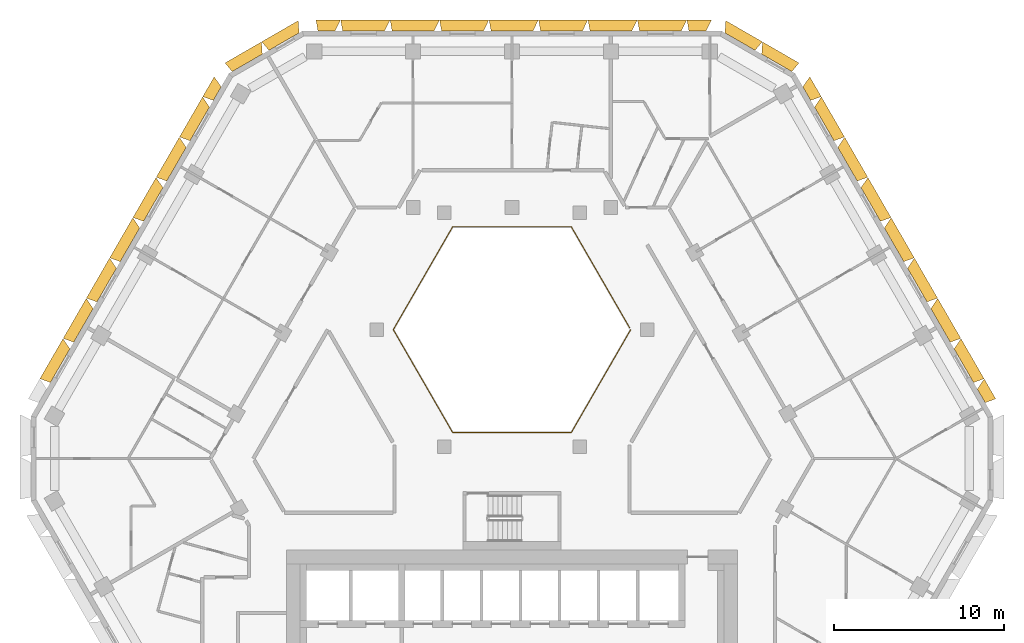
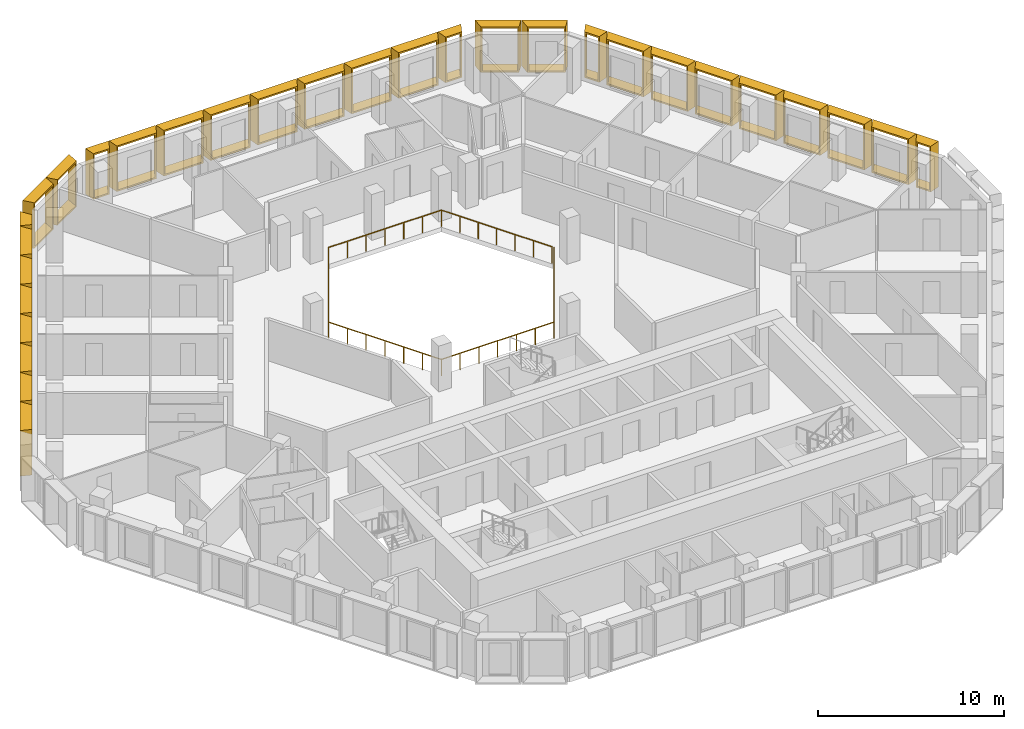
# One storey, part 15 of 15: 30 shading devices, 1 railing.
"""IFC4 building model written with IfcOpenShell, lengths in metres."""

import ifcopenshell
import ifcopenshell.guid

model = None  # the IFC model being written
_history = None  # IfcOwnerHistory: only IFC2X3 demands one
_inside = {}  # id of a spatial element -> (the spatial element, [elements in it])
_under = {}  # id of a project, library or spatial element -> (it, [spatial elements below it])
_declared = {}  # id of a project -> (the project, [libraries it declares])
_typed = {}  # id of a type object -> (the type object, [elements of that type])
_made_of = {}  # id of a material, layer set ... -> (it, [elements and type objects made of it])


def new_model(schema):
    """Start an empty IFC model of exactly this schema.

    Asked for "IFC4X3", IfcOpenShell would pick the latest addendum, in which some entities
    have other attributes; the version numbers below select the first issue.
    IFC2X3 requires an IfcOwnerHistory on every rooted entity: one is made here for all.
    """
    global model, _history
    if schema == "IFC4X3":
        model = ifcopenshell.file(schema_version=(4, 3, 0, 0))
    else:
        model = ifcopenshell.file(schema=schema)
    _inside.clear()
    _under.clear()
    _declared.clear()
    _typed.clear()
    _made_of.clear()
    _history = None
    if model.schema == "IFC2X3":
        org = make("IfcOrganization", Name="unknown")
        user = make(
            "IfcPersonAndOrganization",
            ThePerson=make("IfcPerson", FamilyName="unknown"),
            TheOrganization=org,
        )
        app = make(
            "IfcApplication",
            ApplicationDeveloper=org,
            Version="unknown",
            ApplicationFullName="unknown",
            ApplicationIdentifier="unknown",
        )
        _history = make(
            "IfcOwnerHistory",
            OwningUser=user,
            OwningApplication=app,
            ChangeAction="ADDED",
            CreationDate=0,
        )
    return model


def make(cls, **values):
    """One entity of the class cls with the attributes given. An attribute that is None is left unset."""
    return model.create_entity(
        cls, **{name: value for name, value in values.items() if value is not None}
    )


def entity(cls, *values):
    """Any entity or typed value of the class cls, its attributes in the order of the schema. None: left unset."""
    e = model.create_entity(cls)
    for i, value in enumerate(values):
        if value is not None:
            e[i] = value
    return e


def rooted(cls, **values):
    """An entity with a GlobalId (a new one), such as an element, a storey or a relation."""
    return make(cls, GlobalId=ifcopenshell.guid.new(), OwnerHistory=_history, **values)


def si_unit(unit_type, name, prefix=None):
    """IfcSIUnit, for example si_unit("LENGTHUNIT", "METRE", prefix="MILLI")."""
    return make("IfcSIUnit", UnitType=unit_type, Prefix=prefix, Name=name)


def assignment(units):
    """IfcUnitAssignment: the units of a project."""
    return None if units is None else make("IfcUnitAssignment", Units=units)


def point(xyz):
    """IfcCartesianPoint."""
    return None if xyz is None else make("IfcCartesianPoint", Coordinates=xyz)


def direction(xyz):
    """IfcDirection."""
    return None if xyz is None else make("IfcDirection", DirectionRatios=xyz)


def frame(location, z_axis=None, x_axis=None):
    """IfcAxis2Placement3D, a coordinate frame: its origin and axes. An axis left out is left unset."""
    return make(
        "IfcAxis2Placement3D",
        Location=point(location),
        Axis=direction(z_axis),
        RefDirection=direction(x_axis),
    )


def frame_2d(location, x_axis=None):
    """IfcAxis2Placement2D, a coordinate frame in the plane: its origin and x axis."""
    return make(
        "IfcAxis2Placement2D", Location=point(location), RefDirection=direction(x_axis)
    )


def origin():
    """The frame at (0, 0, 0) with its axes left unset."""
    return frame((0.0, 0.0, 0.0))


def origin_2d():
    """The frame at (0, 0) in the plane with its x axis left unset."""
    return frame_2d((0.0, 0.0))


def place(relative_to, where):
    """IfcLocalPlacement: puts the frame where relative to a parent placement (None: the world)."""
    return make(
        "IfcLocalPlacement", PlacementRelTo=relative_to, RelativePlacement=where
    )


def context(
    kind, dimensions, precision=None, world=None, true_north=None, identifier=None
):
    """IfcGeometricRepresentationContext, for example the 3D "Model" context."""
    return make(
        "IfcGeometricRepresentationContext",
        ContextIdentifier=identifier,
        ContextType=kind,
        CoordinateSpaceDimension=dimensions,
        Precision=precision,
        WorldCoordinateSystem=world,
        TrueNorth=true_north,
    )


def subcontext(parent, identifier, kind, view, scale=None):
    """IfcGeometricRepresentationSubContext, for example "Body" below "Model"."""
    return make(
        "IfcGeometricRepresentationSubContext",
        ContextIdentifier=identifier,
        ContextType=kind,
        ParentContext=parent,
        TargetScale=scale,
        TargetView=view,
    )


def project(units=None, contexts=None):
    """IfcProject with its units and contexts."""
    return rooted(
        "IfcProject",
        Name="project",
        RepresentationContexts=contexts,
        UnitsInContext=assignment(units),
    )


def spatial(cls, under=None, at=None, **own):
    """A site, building, storey or space (cls), placed at a placement, below another one or the project."""
    s = rooted(cls, ObjectPlacement=at, **own)
    if under is not None:
        _under.setdefault(under.id(), (under, []))[1].append(s)
    return s


def profile(cls, at=None, kind="AREA", **sizes):
    """A parametric profile (cls). Its sizes go by their IFC names, for example OverallWidth=200.0."""
    return make(cls, ProfileType=kind, Position=at, **sizes)


def rectangle(**sizes):
    """IfcRectangleProfileDef."""
    return profile("IfcRectangleProfileDef", **sizes)


def extrude(swept, where, along, depth):
    """IfcExtrudedAreaSolid: the profile swept, set in the frame where, extruded along a direction by depth."""
    return make(
        "IfcExtrudedAreaSolid",
        SweptArea=swept,
        Position=where,
        ExtrudedDirection=direction(along),
        Depth=depth,
    )


def shape(context_of_items, identifier, shape_type, items):
    """IfcShapeRepresentation: the items that make up one representation, for example the "Body"."""
    return make(
        "IfcShapeRepresentation",
        ContextOfItems=context_of_items,
        RepresentationIdentifier=identifier,
        RepresentationType=shape_type,
        Items=items,
    )


def source(mapping_origin, context_of_items, identifier, shape_type, items):
    """IfcRepresentationMap: a shape defined once, which mapped items show again and again."""
    return make(
        "IfcRepresentationMap",
        MappingOrigin=mapping_origin,
        MappedRepresentation=shape(context_of_items, identifier, shape_type, items),
    )


def transform(
    local_origin,
    x_axis=None,
    y_axis=None,
    z_axis=None,
    scale=None,
    scale2=None,
    scale3=None,
    uniform=True,
):
    """IfcCartesianTransformationOperator3D, or its non-uniform kind. x_axis, y_axis, z_axis: its Axis1, 2, 3."""
    if uniform:
        return make(
            "IfcCartesianTransformationOperator3D",
            Axis1=direction(x_axis),
            Axis2=direction(y_axis),
            LocalOrigin=point(local_origin),
            Scale=scale,
            Axis3=direction(z_axis),
        )
    return make(
        "IfcCartesianTransformationOperator3DnonUniform",
        Axis1=direction(x_axis),
        Axis2=direction(y_axis),
        LocalOrigin=point(local_origin),
        Scale=scale,
        Axis3=direction(z_axis),
        Scale2=scale2,
        Scale3=scale3,
    )


def mapped(mapping_source, mapping_target):
    """IfcMappedItem: shows the shape of a source again, moved by a transform."""
    return make(
        "IfcMappedItem", MappingSource=mapping_source, MappingTarget=mapping_target
    )


def material(Name=None, Category=None):
    """IfcMaterial."""
    return make("IfcMaterial", Name=Name, Category=Category)


def made_of(thing, what):
    """Note that an element or type object is made of a material, layer set ...; save() writes the relation."""
    if what is not None:
        _made_of.setdefault(what.id(), (what, []))[1].append(thing)
    return thing


def type_object(cls, material=None, **own):
    """A type object (cls), such as IfcWallType, which elements share."""
    return made_of(rooted(cls, **own), material)


def type_shapes(of_type, sources):
    """Give a type object the sources (RepresentationMaps) that its elements show as mapped items."""
    of_type.RepresentationMaps = sources


def element(
    cls,
    number,
    at=None,
    inside=None,
    cuts=None,
    type_object=None,
    material=None,
    context=None,
    identifier="Body",
    shape_type=None,
    held_by="IfcProductDefinitionShape",
    body=None,
    shapes=None,
    **own,
):
    """One element of the class cls, such as IfcWall. Its Tag is "e" and its number.

    at: its placement. inside: the storey or other place that contains it. cuts: it is an
    opening in that element (IfcRelVoidsElement). A single representation is given by context,
    identifier, shape_type and body (its items); several are given by shapes. held_by: the class
    of the entity that holds the representations. save() writes the other relations.
    """
    e = rooted(cls, Tag="e%d" % number, ObjectPlacement=at, **own)
    if body is not None:
        shapes = [shape(context, identifier, shape_type, body)]
    if shapes is not None:
        e.Representation = make(held_by, Representations=shapes)
    if inside is not None:
        _inside.setdefault(inside.id(), (inside, []))[1].append(e)
    if cuts is not None:
        rooted(
            "IfcRelVoidsElement", RelatingBuildingElement=cuts, RelatedOpeningElement=e
        )
    if type_object is not None:
        _typed.setdefault(type_object.id(), (type_object, []))[1].append(e)
    return made_of(e, material)


def aggregate(whole, parts):
    """IfcRelAggregates: a whole, such as a stair, and the parts it consists of."""
    return rooted("IfcRelAggregates", RelatingObject=whole, RelatedObjects=parts)


def save(model, path):
    """Write the relations noted so far, then the file.

    IfcRelAggregates (storeys below a building ...), IfcRelContainedInSpatialStructure (elements
    in a storey), IfcRelDefinesByType, IfcRelAssociatesMaterial and IfcRelDeclares: one each for
    every whole, place, type object, material and project.
    """
    for whole, parts in _under.values():
        aggregate(whole, parts)
    for where, things in _inside.values():
        rooted(
            "IfcRelContainedInSpatialStructure",
            RelatedElements=things,
            RelatingStructure=where,
        )
    for kind, things in _typed.values():
        rooted("IfcRelDefinesByType", RelatedObjects=things, RelatingType=kind)
    for what, things in _made_of.values():
        rooted("IfcRelAssociatesMaterial", RelatedObjects=things, RelatingMaterial=what)
    for by, libraries in _declared.values():
        rooted("IfcRelDeclares", RelatingContext=by, RelatedDefinitions=libraries)
    model.write(path)


model = new_model("IFC4")

# Units and contexts
model_context = context("Model", 3, precision=1e-05, world=origin(), true_north=direction((0.0, 1.0)))
body_context = subcontext(model_context, "Body", "Model", "MODEL_VIEW")
ifc_project = project(units=[si_unit("LENGTHUNIT", "METRE"), si_unit("AREAUNIT", "SQUARE_METRE"), si_unit("VOLUMEUNIT", "CUBIC_METRE"), si_unit("PLANEANGLEUNIT", "RADIAN"), si_unit("MASSUNIT", "GRAM", prefix="KILO")], contexts=[model_context])

# Site, building, storey
site_placement = place(None, origin())
site = spatial("IfcSite", under=ifc_project, at=site_placement, CompositionType="ELEMENT")
building_placement = place(site_placement, origin())
building = spatial("IfcBuilding", under=site, at=building_placement, Name="Beryl Residences", CompositionType="ELEMENT")
storey_placement = place(building_placement, frame((0.0, 0.0, 123.60009765625)))
storey = spatial("IfcBuildingStorey", under=building, at=storey_placement, Name="L37", CompositionType="ELEMENT", Elevation=123.60009765625)

# Railing
ifc_material_1 = material(Name="Stainless steel balustrade with glass infill", Category="steel")
railing_type = type_object("IfcRailingType", Name="EG1 edge guard 1100 mm", PredefinedType="GUARDRAIL", material=ifc_material_1)
railing_placement = place(storey_placement, frame((6.9970703125, 8.0, 0.0)))
element("IfcRailing", 1, at=railing_placement, inside=storey, type_object=railing_type, Name="L37 atrium guard", PredefinedType="GUARDRAIL", context=body_context, shape_type="SweptSolid", body=[
    extrude(rectangle(XDim=0.048095703125, YDim=0.048095703125, at=origin_2d()), frame((0.0, 0.0, 1.076171875), z_axis=(-0.499921796684, -0.866070549782, 0.0), x_axis=(0.866070549782, -0.499921796684, 0.0)), (0.0, 0.0, 1.0), 6.9970703125),
    extrude(rectangle(XDim=0.048095703125, YDim=0.048095703125, at=origin_2d()), frame((-3.498046875, -6.06005859375, 1.076171875), z_axis=(-1.0, 0.0, 0.0), x_axis=(0.0, -1.0, 0.0)), (0.0, 0.0, 1.0), 6.998046875),
    extrude(rectangle(XDim=0.048095703125, YDim=0.048095703125, at=origin_2d()), frame((-10.49609375, -6.06005859375, 1.076171875), z_axis=(-0.499921796684, 0.866070549782, 0.0), x_axis=(-0.866070549782, -0.499921796684, 0.0)), (0.0, 0.0, 1.0), 6.9970703125),
    extrude(rectangle(XDim=0.048095703125, YDim=0.048095703125, at=origin_2d()), frame((-13.994140625, 0.0, 1.076171875), z_axis=(0.499921796684, 0.866070549782, 0.0), x_axis=(-0.866070549782, 0.499921796684, 0.0)), (0.0, 0.0, 1.0), 6.9970703125),
    extrude(rectangle(XDim=0.048095703125, YDim=0.048095703125, at=origin_2d()), frame((-10.49609375, 6.06005859375, 1.076171875), z_axis=(1.0, 0.0, 0.0), x_axis=(0.0, 1.0, 0.0)), (0.0, 0.0, 1.0), 6.998046875),
    extrude(rectangle(XDim=0.048095703125, YDim=0.048095703125, at=origin_2d()), frame((-3.498046875, 6.06005859375, 1.076171875), z_axis=(0.499919131929, -0.866072087953, 0.0), x_axis=(0.866072087953, 0.499919131929, 0.0)), (0.0, 0.0, 1.0), 6.877197265625),
    extrude(rectangle(XDim=0.0419921875, YDim=0.0419921875, at=origin_2d()), origin(), (0.0, 0.0, 1.0), 1.052001953125),
    extrude(rectangle(XDim=0.0419921875, YDim=0.0419921875, at=origin_2d()), frame((-0.5830078125, -1.010009765625, 0.0)), (0.0, 0.0, 1.0), 1.052001953125),
    extrude(rectangle(XDim=0.0419921875, YDim=0.0419921875, at=origin_2d()), frame((-1.166015625, -2.02001953125, 0.0)), (0.0, 0.0, 1.0), 1.052001953125),
    extrude(rectangle(XDim=0.0419921875, YDim=0.0419921875, at=origin_2d()), frame((-1.7490234375, -3.030029296875, 0.0)), (0.0, 0.0, 1.0), 1.052001953125),
    extrude(rectangle(XDim=0.0419921875, YDim=0.0419921875, at=origin_2d()), frame((-2.33203125, -4.0400390625, 0.0)), (0.0, 0.0, 1.0), 1.052001953125),
    extrude(rectangle(XDim=0.0419921875, YDim=0.0419921875, at=origin_2d()), frame((-2.9150390625, -5.050048828125, 0.0)), (0.0, 0.0, 1.0), 1.052001953125),
    extrude(rectangle(XDim=0.0419921875, YDim=0.0419921875, at=origin_2d()), frame((-3.498046875, -6.06005859375, 0.0)), (0.0, 0.0, 1.0), 1.052001953125),
    extrude(rectangle(XDim=0.0419921875, YDim=0.0419921875, at=origin_2d()), frame((-4.664306640625, -6.06005859375, 0.0)), (0.0, 0.0, 1.0), 1.052001953125),
    extrude(rectangle(XDim=0.0419921875, YDim=0.0419921875, at=origin_2d()), frame((-5.830810546875, -6.06005859375, 0.0)), (0.0, 0.0, 1.0), 1.052001953125),
    extrude(rectangle(XDim=0.0419921875, YDim=0.0419921875, at=origin_2d()), frame((-6.9970703125, -6.06005859375, 0.0)), (0.0, 0.0, 1.0), 1.052001953125),
    extrude(rectangle(XDim=0.0419921875, YDim=0.0419921875, at=origin_2d()), frame((-8.163330078125, -6.06005859375, 0.0)), (0.0, 0.0, 1.0), 1.052001953125),
    extrude(rectangle(XDim=0.0419921875, YDim=0.0419921875, at=origin_2d()), frame((-9.329833984375, -6.06005859375, 0.0)), (0.0, 0.0, 1.0), 1.052001953125),
    extrude(rectangle(XDim=0.0419921875, YDim=0.0419921875, at=origin_2d()), frame((-10.49609375, -6.06005859375, 0.0)), (0.0, 0.0, 1.0), 1.052001953125),
    extrude(rectangle(XDim=0.0419921875, YDim=0.0419921875, at=origin_2d()), frame((-11.0791015625, -5.050048828125, 0.0)), (0.0, 0.0, 1.0), 1.052001953125),
    extrude(rectangle(XDim=0.0419921875, YDim=0.0419921875, at=origin_2d()), frame((-11.662109375, -4.0400390625, 0.0)), (0.0, 0.0, 1.0), 1.052001953125),
    extrude(rectangle(XDim=0.0419921875, YDim=0.0419921875, at=origin_2d()), frame((-12.2451171875, -3.030029296875, 0.0)), (0.0, 0.0, 1.0), 1.052001953125),
    extrude(rectangle(XDim=0.0419921875, YDim=0.0419921875, at=origin_2d()), frame((-12.828125, -2.02001953125, 0.0)), (0.0, 0.0, 1.0), 1.052001953125),
    extrude(rectangle(XDim=0.0419921875, YDim=0.0419921875, at=origin_2d()), frame((-13.4111328125, -1.010009765625, 0.0)), (0.0, 0.0, 1.0), 1.052001953125),
    extrude(rectangle(XDim=0.0419921875, YDim=0.0419921875, at=origin_2d()), frame((-13.994140625, 0.0, 0.0)), (0.0, 0.0, 1.0), 1.052001953125),
    extrude(rectangle(XDim=0.0419921875, YDim=0.0419921875, at=origin_2d()), frame((-13.4111328125, 1.010009765625, 0.0)), (0.0, 0.0, 1.0), 1.052001953125),
    extrude(rectangle(XDim=0.0419921875, YDim=0.0419921875, at=origin_2d()), frame((-12.828125, 2.02001953125, 0.0)), (0.0, 0.0, 1.0), 1.052001953125),
    extrude(rectangle(XDim=0.0419921875, YDim=0.0419921875, at=origin_2d()), frame((-12.2451171875, 3.030029296875, 0.0)), (0.0, 0.0, 1.0), 1.052001953125),
    extrude(rectangle(XDim=0.0419921875, YDim=0.0419921875, at=origin_2d()), frame((-11.662109375, 4.0400390625, 0.0)), (0.0, 0.0, 1.0), 1.052001953125),
    extrude(rectangle(XDim=0.0419921875, YDim=0.0419921875, at=origin_2d()), frame((-11.0791015625, 5.050048828125, 0.0)), (0.0, 0.0, 1.0), 1.052001953125),
    extrude(rectangle(XDim=0.0419921875, YDim=0.0419921875, at=origin_2d()), frame((-10.49609375, 6.06005859375, 0.0)), (0.0, 0.0, 1.0), 1.052001953125),
    extrude(rectangle(XDim=0.0419921875, YDim=0.0419921875, at=origin_2d()), frame((-9.329833984375, 6.06005859375, 0.0)), (0.0, 0.0, 1.0), 1.052001953125),
    extrude(rectangle(XDim=0.0419921875, YDim=0.0419921875, at=origin_2d()), frame((-8.163330078125, 6.06005859375, 0.0)), (0.0, 0.0, 1.0), 1.052001953125),
    extrude(rectangle(XDim=0.0419921875, YDim=0.0419921875, at=origin_2d()), frame((-6.9970703125, 6.06005859375, 0.0)), (0.0, 0.0, 1.0), 1.052001953125),
    extrude(rectangle(XDim=0.0419921875, YDim=0.0419921875, at=origin_2d()), frame((-5.830810546875, 6.06005859375, 0.0)), (0.0, 0.0, 1.0), 1.052001953125),
    extrude(rectangle(XDim=0.0419921875, YDim=0.0419921875, at=origin_2d()), frame((-4.664306640625, 6.06005859375, 0.0)), (0.0, 0.0, 1.0), 1.052001953125),
    extrude(rectangle(XDim=0.0419921875, YDim=0.0419921875, at=origin_2d()), frame((-3.498046875, 6.06005859375, 0.0)), (0.0, 0.0, 1.0), 1.052001953125),
    extrude(rectangle(XDim=0.0419921875, YDim=0.0419921875, at=origin_2d()), frame((-2.925048828125, 5.0673828125, 0.0)), (0.0, 0.0, 1.0), 1.052001953125),
    extrude(rectangle(XDim=0.0419921875, YDim=0.0419921875, at=origin_2d()), frame((-2.35205078125, 4.07470703125, 0.0)), (0.0, 0.0, 1.0), 1.052001953125),
    extrude(rectangle(XDim=0.0419921875, YDim=0.0419921875, at=origin_2d()), frame((-1.779052734375, 3.08203125, 0.0)), (0.0, 0.0, 1.0), 1.052001953125),
    extrude(rectangle(XDim=0.0419921875, YDim=0.0419921875, at=origin_2d()), frame((-1.2060546875, 2.08935546875, 0.0)), (0.0, 0.0, 1.0), 1.052001953125),
    extrude(rectangle(XDim=0.0419921875, YDim=0.0419921875, at=origin_2d()), frame((-0.633056640625, 1.0966796875, 0.0)), (0.0, 0.0, 1.0), 1.052001953125),
    extrude(rectangle(XDim=0.0419921875, YDim=0.0419921875, at=origin_2d()), frame((-0.06005859375, 0.10400390625, 0.0)), (0.0, 0.0, 1.0), 1.052001953125),
])

# Shading devices
ifc_material_2 = material(Name="Aluminium pale anodised", Category="aluminium")
shading_device_type_1 = type_object("IfcShadingDeviceType", Name="FR137-65B OUTER SKIN frame 650 mm deep, splay 26/10 deg, 1370 x 3000 mm cell", PredefinedType="USERDEFINED", material=ifc_material_2)
cartesian_point_1 = entity("IfcCartesianPoint", [-0.458984375, 0.0])
cartesian_point_2 = entity("IfcCartesianPoint", [-0.369873046875, 0.10009765625])
cartesian_point_3 = entity("IfcCartesianPoint", [-0.776123046875, 0.0])
cartesian_point_4 = entity("IfcCartesianPoint", [-0.68701171875, 0.10009765625])
shared_shape_1 = source(origin(), body_context, "Body", "SweptSolid", [
    entity("IfcExtrudedAreaSolidTapered", entity("IfcArbitraryProfileDefWithVoids", "AREA", None, entity("IfcPolyline", [cartesian_point_1, entity("IfcCartesianPoint", [0.458984375, 0.0]), entity("IfcCartesianPoint", [0.458984375, 3.0]), entity("IfcCartesianPoint", [-0.458984375, 3.0]), cartesian_point_1]), [entity("IfcPolyline", [cartesian_point_2, entity("IfcCartesianPoint", [0.377685546875, 0.10009765625]), entity("IfcCartesianPoint", [0.377685546875, 2.89990234375]), entity("IfcCartesianPoint", [-0.369873046875, 2.89990234375]), cartesian_point_2])]), entity("IfcAxis2Placement3D", entity("IfcCartesianPoint", [0.0, 0.0, 0.0]), entity("IfcDirection", [0.0, 1.0, 0.0]), entity("IfcDirection", [-1.0, 0.0, 0.0])), entity("IfcDirection", [0.0, 0.0, 1.0]), 0.64990234375, entity("IfcArbitraryProfileDefWithVoids", "AREA", None, entity("IfcPolyline", [cartesian_point_3, entity("IfcCartesianPoint", [0.57373046875, 0.0]), entity("IfcCartesianPoint", [0.57373046875, 3.0]), entity("IfcCartesianPoint", [-0.776123046875, 3.0]), cartesian_point_3]), [entity("IfcPolyline", [cartesian_point_4, entity("IfcCartesianPoint", [0.492431640625, 0.10009765625]), entity("IfcCartesianPoint", [0.492431640625, 2.89990234375]), entity("IfcCartesianPoint", [-0.68701171875, 2.89990234375]), cartesian_point_4])])),
])
type_shapes(shading_device_type_1, [shared_shape_1])
shading_device_placement = place(storey_placement, frame((-17.375, 21.906982421875, 0.0), z_axis=(0.0, 0.0, 1.0), x_axis=(0.5, 0.866025403784, 0.0)))
element("IfcShadingDevice", 2, at=shading_device_placement, inside=storey, type_object=shading_device_type_1, Name="FR137-65B frame L37 NW 1", ObjectType="OUTER SKIN", PredefinedType="USERDEFINED", context=body_context, shape_type="MappedRepresentation", body=[
    mapped(shared_shape_1, transform((0.0, 0.0, 0.0))),
])
ifc_material_3 = material(Name="Aluminium pale anodised", Category="aluminium")
shading_device_type_2 = type_object("IfcShadingDeviceType", Name="FR137-65C OUTER SKIN frame 650 mm deep, splay 10/26 deg, 1370 x 3000 mm cell", PredefinedType="USERDEFINED", material=ifc_material_3)
cartesian_point_5 = entity("IfcCartesianPoint", [-0.458984375, 0.0])
cartesian_point_6 = entity("IfcCartesianPoint", [-0.377685546875, 0.10009765625])
cartesian_point_7 = entity("IfcCartesianPoint", [-0.57373046875, 0.0])
cartesian_point_8 = entity("IfcCartesianPoint", [-0.492431640625, 0.10009765625])
shared_shape_2 = source(origin(), body_context, "Body", "SweptSolid", [
    entity("IfcExtrudedAreaSolidTapered", entity("IfcArbitraryProfileDefWithVoids", "AREA", None, entity("IfcPolyline", [cartesian_point_5, entity("IfcCartesianPoint", [0.458984375, 0.0]), entity("IfcCartesianPoint", [0.458984375, 3.0]), entity("IfcCartesianPoint", [-0.458984375, 3.0]), cartesian_point_5]), [entity("IfcPolyline", [cartesian_point_6, entity("IfcCartesianPoint", [0.369873046875, 0.10009765625]), entity("IfcCartesianPoint", [0.369873046875, 2.89990234375]), entity("IfcCartesianPoint", [-0.377685546875, 2.89990234375]), cartesian_point_6])]), entity("IfcAxis2Placement3D", entity("IfcCartesianPoint", [0.0, 0.0, 0.0]), entity("IfcDirection", [0.0, 1.0, 0.0]), entity("IfcDirection", [-1.0, 0.0, 0.0])), entity("IfcDirection", [0.0, 0.0, 1.0]), 0.64990234375, entity("IfcArbitraryProfileDefWithVoids", "AREA", None, entity("IfcPolyline", [cartesian_point_7, entity("IfcCartesianPoint", [0.776123046875, 0.0]), entity("IfcCartesianPoint", [0.776123046875, 3.0]), entity("IfcCartesianPoint", [-0.57373046875, 3.0]), cartesian_point_7]), [entity("IfcPolyline", [cartesian_point_8, entity("IfcCartesianPoint", [0.68701171875, 0.10009765625]), entity("IfcCartesianPoint", [0.68701171875, 2.89990234375]), entity("IfcCartesianPoint", [-0.492431640625, 2.89990234375]), cartesian_point_8])])),
])
type_shapes(shading_device_type_2, [shared_shape_2])
for number, where, z_axis, x_axis, name in (
    (3, (27.658935546875, 4.093017578125, 0.0), (0.0, 0.0, 1.0), (0.5, -0.866025403784, 0.0), "FR137-65C frame L37 NE 1"),
    (4, (17.375, 21.906982421875, 0.0), (0.0, 0.0, 1.0), (0.5, -0.866025403784, 0.0), "FR137-65C frame L37 NE 9"),
):
    element("IfcShadingDevice", number, at=place(storey_placement, frame(where, z_axis=z_axis, x_axis=x_axis)), inside=storey, type_object=shading_device_type_2, Name=name, ObjectType="OUTER SKIN", PredefinedType="USERDEFINED", context=body_context, shape_type="MappedRepresentation", body=[
        mapped(shared_shape_2, transform((0.0, 0.0, 0.0))),
    ])
ifc_material_4 = material(Name="Aluminium pale anodised", Category="aluminium")
shading_device_type_3 = type_object("IfcShadingDeviceType", Name="FR146-65B OUTER SKIN frame 650 mm deep, splay 26/10 deg, 1460 x 3000 mm cell", PredefinedType="USERDEFINED", material=ifc_material_4)
cartesian_point_9 = entity("IfcCartesianPoint", [-0.50390625, 0.0])
cartesian_point_10 = entity("IfcCartesianPoint", [-0.4150390625, 0.10009765625])
cartesian_point_11 = entity("IfcCartesianPoint", [-0.821044921875, 0.0])
cartesian_point_12 = entity("IfcCartesianPoint", [-0.73193359375, 0.10009765625])
shared_shape_3 = source(origin(), body_context, "Body", "SweptSolid", [
    entity("IfcExtrudedAreaSolidTapered", entity("IfcArbitraryProfileDefWithVoids", "AREA", None, entity("IfcPolyline", [cartesian_point_9, entity("IfcCartesianPoint", [0.50390625, 0.0]), entity("IfcCartesianPoint", [0.50390625, 3.0]), entity("IfcCartesianPoint", [-0.50390625, 3.0]), cartesian_point_9]), [entity("IfcPolyline", [cartesian_point_10, entity("IfcCartesianPoint", [0.4228515625, 0.10009765625]), entity("IfcCartesianPoint", [0.4228515625, 2.89990234375]), entity("IfcCartesianPoint", [-0.4150390625, 2.89990234375]), cartesian_point_10])]), entity("IfcAxis2Placement3D", entity("IfcCartesianPoint", [0.0, 0.0, 0.0]), entity("IfcDirection", [0.0, 1.0, 0.0]), entity("IfcDirection", [-1.0, 0.0, 0.0])), entity("IfcDirection", [0.0, 0.0, 1.0]), 0.64990234375, entity("IfcArbitraryProfileDefWithVoids", "AREA", None, entity("IfcPolyline", [cartesian_point_11, entity("IfcCartesianPoint", [0.61865234375, 0.0]), entity("IfcCartesianPoint", [0.61865234375, 3.0]), entity("IfcCartesianPoint", [-0.821044921875, 3.0]), cartesian_point_11]), [entity("IfcPolyline", [cartesian_point_12, entity("IfcCartesianPoint", [0.537353515625, 0.10009765625]), entity("IfcCartesianPoint", [0.537353515625, 2.89990234375]), entity("IfcCartesianPoint", [-0.73193359375, 2.89990234375]), cartesian_point_12])])),
])
type_shapes(shading_device_type_3, [shared_shape_3])
for number, where, z_axis, x_axis, name in (
    (5, (10.93310546875, 25.60009765625, 0.0), (0.0, 0.0, 1.0), (1.0, 0.0, 0.0), "FR146-65B frame L37 N 1"),
    (6, (-10.93310546875, 25.60009765625, 0.0), (0.0, 0.0, 1.0), (1.0, 0.0, 0.0), "FR146-65B frame L37 N 9"),
):
    element("IfcShadingDevice", number, at=place(storey_placement, frame(where, z_axis=z_axis, x_axis=x_axis)), inside=storey, type_object=shading_device_type_3, Name=name, ObjectType="OUTER SKIN", PredefinedType="USERDEFINED", context=body_context, shape_type="MappedRepresentation", body=[
        mapped(shared_shape_3, transform((0.0, 0.0, 0.0))),
    ])
ifc_material_5 = material(Name="Aluminium pale anodised", Category="aluminium")
shading_device_type_4 = type_object("IfcShadingDeviceType", Name="FR250-65B OUTER SKIN frame 650 mm deep, splay 26/10 deg, 2500 x 3000 mm cell", PredefinedType="USERDEFINED", material=ifc_material_5)
cartesian_point_13 = entity("IfcCartesianPoint", [-1.02392578125, 0.0])
cartesian_point_14 = entity("IfcCartesianPoint", [-0.93505859375, 0.10009765625])
cartesian_point_15 = entity("IfcCartesianPoint", [-1.341064453125, 0.0])
cartesian_point_16 = entity("IfcCartesianPoint", [-1.251953125, 0.10009765625])
shared_shape_4 = source(origin(), body_context, "Body", "SweptSolid", [
    entity("IfcExtrudedAreaSolidTapered", entity("IfcArbitraryProfileDefWithVoids", "AREA", None, entity("IfcPolyline", [cartesian_point_13, entity("IfcCartesianPoint", [1.02392578125, 0.0]), entity("IfcCartesianPoint", [1.02392578125, 3.0]), entity("IfcCartesianPoint", [-1.02392578125, 3.0]), cartesian_point_13]), [entity("IfcPolyline", [cartesian_point_14, entity("IfcCartesianPoint", [0.94287109375, 0.10009765625]), entity("IfcCartesianPoint", [0.94287109375, 2.89990234375]), entity("IfcCartesianPoint", [-0.93505859375, 2.89990234375]), cartesian_point_14])]), entity("IfcAxis2Placement3D", entity("IfcCartesianPoint", [0.0, 0.0, 0.0]), entity("IfcDirection", [0.0, 1.0, 0.0]), entity("IfcDirection", [-1.0, 0.0, 0.0])), entity("IfcDirection", [0.0, 0.0, 1.0]), 0.64990234375, entity("IfcArbitraryProfileDefWithVoids", "AREA", None, entity("IfcPolyline", [cartesian_point_15, entity("IfcCartesianPoint", [1.138671875, 0.0]), entity("IfcCartesianPoint", [1.138671875, 3.0]), entity("IfcCartesianPoint", [-1.341064453125, 3.0]), cartesian_point_15]), [entity("IfcPolyline", [cartesian_point_16, entity("IfcCartesianPoint", [1.057373046875, 0.10009765625]), entity("IfcCartesianPoint", [1.057373046875, 2.89990234375]), entity("IfcCartesianPoint", [-1.251953125, 2.89990234375]), cartesian_point_16])])),
])
type_shapes(shading_device_type_4, [shared_shape_4])
for number, where, z_axis, x_axis, name in (
    (7, (-13.43798828125, 24.97509765625, 0.0), (0.0, 0.0, 1.0), (0.866025403784, 0.5, 0.0), "FR250-65B frame L37 N-NW 1"),
    (8, (-15.60205078125, 23.72509765625, 0.0), (0.0, 0.0, 1.0), (0.866025403784, 0.5, 0.0), "FR250-65B frame L37 N-NW 2"),
):
    element("IfcShadingDevice", number, at=place(storey_placement, frame(where, z_axis=z_axis, x_axis=x_axis)), inside=storey, type_object=shading_device_type_4, Name=name, ObjectType="OUTER SKIN", PredefinedType="USERDEFINED", context=body_context, shape_type="MappedRepresentation", body=[
        mapped(shared_shape_4, transform((0.0, 0.0, 0.0))),
    ])
ifc_material_6 = material(Name="Aluminium pale anodised", Category="aluminium")
shading_device_type_5 = type_object("IfcShadingDeviceType", Name="FR250-65C OUTER SKIN frame 650 mm deep, splay 10/26 deg, 2500 x 3000 mm cell", PredefinedType="USERDEFINED", material=ifc_material_6)
cartesian_point_17 = entity("IfcCartesianPoint", [-1.02392578125, 0.0])
cartesian_point_18 = entity("IfcCartesianPoint", [-0.94287109375, 0.10009765625])
cartesian_point_19 = entity("IfcCartesianPoint", [-1.138671875, 0.0])
cartesian_point_20 = entity("IfcCartesianPoint", [-1.057373046875, 0.10009765625])
shared_shape_5 = source(origin(), body_context, "Body", "SweptSolid", [
    entity("IfcExtrudedAreaSolidTapered", entity("IfcArbitraryProfileDefWithVoids", "AREA", None, entity("IfcPolyline", [cartesian_point_17, entity("IfcCartesianPoint", [1.02392578125, 0.0]), entity("IfcCartesianPoint", [1.02392578125, 3.0]), entity("IfcCartesianPoint", [-1.02392578125, 3.0]), cartesian_point_17]), [entity("IfcPolyline", [cartesian_point_18, entity("IfcCartesianPoint", [0.93505859375, 0.10009765625]), entity("IfcCartesianPoint", [0.93505859375, 2.89990234375]), entity("IfcCartesianPoint", [-0.94287109375, 2.89990234375]), cartesian_point_18])]), entity("IfcAxis2Placement3D", entity("IfcCartesianPoint", [0.0, 0.0, 0.0]), entity("IfcDirection", [0.0, 1.0, 0.0]), entity("IfcDirection", [-1.0, 0.0, 0.0])), entity("IfcDirection", [0.0, 0.0, 1.0]), 0.64990234375, entity("IfcArbitraryProfileDefWithVoids", "AREA", None, entity("IfcPolyline", [cartesian_point_19, entity("IfcCartesianPoint", [1.341064453125, 0.0]), entity("IfcCartesianPoint", [1.341064453125, 3.0]), entity("IfcCartesianPoint", [-1.138671875, 3.0]), cartesian_point_19]), [entity("IfcPolyline", [cartesian_point_20, entity("IfcCartesianPoint", [1.251953125, 0.10009765625]), entity("IfcCartesianPoint", [1.251953125, 2.89990234375]), entity("IfcCartesianPoint", [-1.057373046875, 2.89990234375]), cartesian_point_20])])),
])
type_shapes(shading_device_type_5, [shared_shape_5])
for number, where, z_axis, x_axis, name in (
    (9, (15.60205078125, 23.72509765625, 0.0), (0.0, 0.0, 1.0), (0.866025403784, -0.5, 0.0), "FR250-65C frame L37 NE-N 1"),
    (10, (13.43798828125, 24.97509765625, 0.0), (0.0, 0.0, 1.0), (0.866025403784, -0.5, 0.0), "FR250-65C frame L37 NE-N 2"),
):
    element("IfcShadingDevice", number, at=place(storey_placement, frame(where, z_axis=z_axis, x_axis=x_axis)), inside=storey, type_object=shading_device_type_5, Name=name, ObjectType="OUTER SKIN", PredefinedType="USERDEFINED", context=body_context, shape_type="MappedRepresentation", body=[
        mapped(shared_shape_5, transform((0.0, 0.0, 0.0))),
    ])
ifc_material_7 = material(Name="Aluminium pale anodised", Category="aluminium")
shading_device_type_6 = type_object("IfcShadingDeviceType", Name="FR274-65B OUTER SKIN frame 650 mm deep, splay 26/10 deg, 2740 x 3000 mm cell", PredefinedType="USERDEFINED", material=ifc_material_7)
cartesian_point_21 = entity("IfcCartesianPoint", [-1.14404296875, 0.0])
cartesian_point_22 = entity("IfcCartesianPoint", [-1.054931640625, 0.10009765625])
cartesian_point_23 = entity("IfcCartesianPoint", [-1.4609375, 0.0])
cartesian_point_24 = entity("IfcCartesianPoint", [-1.3720703125, 0.10009765625])
shared_shape_6 = source(origin(), body_context, "Body", "SweptSolid", [
    entity("IfcExtrudedAreaSolidTapered", entity("IfcArbitraryProfileDefWithVoids", "AREA", None, entity("IfcPolyline", [cartesian_point_21, entity("IfcCartesianPoint", [1.14404296875, 0.0]), entity("IfcCartesianPoint", [1.14404296875, 3.0]), entity("IfcCartesianPoint", [-1.14404296875, 3.0]), cartesian_point_21]), [entity("IfcPolyline", [cartesian_point_22, entity("IfcCartesianPoint", [1.062744140625, 0.10009765625]), entity("IfcCartesianPoint", [1.062744140625, 2.89990234375]), entity("IfcCartesianPoint", [-1.054931640625, 2.89990234375]), cartesian_point_22])]), entity("IfcAxis2Placement3D", entity("IfcCartesianPoint", [0.0, 0.0, 0.0]), entity("IfcDirection", [0.0, 1.0, 0.0]), entity("IfcDirection", [-1.0, 0.0, 0.0])), entity("IfcDirection", [0.0, 0.0, 1.0]), 0.64990234375, entity("IfcArbitraryProfileDefWithVoids", "AREA", None, entity("IfcPolyline", [cartesian_point_23, entity("IfcCartesianPoint", [1.258544921875, 0.0]), entity("IfcCartesianPoint", [1.258544921875, 3.0]), entity("IfcCartesianPoint", [-1.4609375, 3.0]), cartesian_point_23]), [entity("IfcPolyline", [cartesian_point_24, entity("IfcCartesianPoint", [1.177490234375, 0.10009765625]), entity("IfcCartesianPoint", [1.177490234375, 2.89990234375]), entity("IfcCartesianPoint", [-1.3720703125, 2.89990234375]), cartesian_point_24])])),
])
type_shapes(shading_device_type_6, [shared_shape_6])
for number, where, z_axis, x_axis, name in (
    (11, (-18.403076171875, 20.125, 0.0), (0.0, 0.0, 1.0), (0.5, 0.866025403784, 0.0), "FR274-65B frame L37 NW 2"),
    (12, (-19.77490234375, 17.75, 0.0), (0.0, 0.0, 1.0), (0.5, 0.866025403784, 0.0), "FR274-65B frame L37 NW 3"),
    (13, (-21.14599609375, 15.375, 0.0), (0.0, 0.0, 1.0), (0.5, 0.866025403784, 0.0), "FR274-65B frame L37 NW 4"),
    (14, (-22.51708984375, 13.0, 0.0), (0.0, 0.0, 1.0), (0.5, 0.866025403784, 0.0), "FR274-65B frame L37 NW 5"),
    (15, (-23.887939453125, 10.625, 0.0), (0.0, 0.0, 1.0), (0.5, 0.866025403784, 0.0), "FR274-65B frame L37 NW 6"),
    (16, (-25.259033203125, 8.25, 0.0), (0.0, 0.0, 1.0), (0.5, 0.866025403784, 0.0), "FR274-65B frame L37 NW 7"),
    (17, (-26.631103515625, 5.875, 0.0), (0.0, 0.0, 1.0), (0.5, 0.866025403784, 0.0), "FR274-65B frame L37 NW 8"),
):
    element("IfcShadingDevice", number, at=place(storey_placement, frame(where, z_axis=z_axis, x_axis=x_axis)), inside=storey, type_object=shading_device_type_6, Name=name, ObjectType="OUTER SKIN", PredefinedType="USERDEFINED", context=body_context, shape_type="MappedRepresentation", body=[
        mapped(shared_shape_6, transform((0.0, 0.0, 0.0))),
    ])
ifc_material_8 = material(Name="Aluminium pale anodised", Category="aluminium")
shading_device_type_7 = type_object("IfcShadingDeviceType", Name="FR274-65C OUTER SKIN frame 650 mm deep, splay 10/26 deg, 2740 x 3000 mm cell", PredefinedType="USERDEFINED", material=ifc_material_8)
cartesian_point_25 = entity("IfcCartesianPoint", [-1.14404296875, 0.0])
cartesian_point_26 = entity("IfcCartesianPoint", [-1.062744140625, 0.10009765625])
cartesian_point_27 = entity("IfcCartesianPoint", [-1.258544921875, 0.0])
cartesian_point_28 = entity("IfcCartesianPoint", [-1.177490234375, 0.10009765625])
shared_shape_7 = source(origin(), body_context, "Body", "SweptSolid", [
    entity("IfcExtrudedAreaSolidTapered", entity("IfcArbitraryProfileDefWithVoids", "AREA", None, entity("IfcPolyline", [cartesian_point_25, entity("IfcCartesianPoint", [1.14404296875, 0.0]), entity("IfcCartesianPoint", [1.14404296875, 3.0]), entity("IfcCartesianPoint", [-1.14404296875, 3.0]), cartesian_point_25]), [entity("IfcPolyline", [cartesian_point_26, entity("IfcCartesianPoint", [1.054931640625, 0.10009765625]), entity("IfcCartesianPoint", [1.054931640625, 2.89990234375]), entity("IfcCartesianPoint", [-1.062744140625, 2.89990234375]), cartesian_point_26])]), entity("IfcAxis2Placement3D", entity("IfcCartesianPoint", [0.0, 0.0, 0.0]), entity("IfcDirection", [0.0, 1.0, 0.0]), entity("IfcDirection", [-1.0, 0.0, 0.0])), entity("IfcDirection", [0.0, 0.0, 1.0]), 0.64990234375, entity("IfcArbitraryProfileDefWithVoids", "AREA", None, entity("IfcPolyline", [cartesian_point_27, entity("IfcCartesianPoint", [1.4609375, 0.0]), entity("IfcCartesianPoint", [1.4609375, 3.0]), entity("IfcCartesianPoint", [-1.258544921875, 3.0]), cartesian_point_27]), [entity("IfcPolyline", [cartesian_point_28, entity("IfcCartesianPoint", [1.3720703125, 0.10009765625]), entity("IfcCartesianPoint", [1.3720703125, 2.89990234375]), entity("IfcCartesianPoint", [-1.177490234375, 2.89990234375]), cartesian_point_28])])),
])
type_shapes(shading_device_type_7, [shared_shape_7])
for number, where, z_axis, x_axis, name in (
    (18, (26.631103515625, 5.875, 0.0), (0.0, 0.0, 1.0), (0.5, -0.866025403784, 0.0), "FR274-65C frame L37 NE 2"),
    (19, (25.259033203125, 8.25, 0.0), (0.0, 0.0, 1.0), (0.5, -0.866025403784, 0.0), "FR274-65C frame L37 NE 3"),
    (20, (23.887939453125, 10.625, 0.0), (0.0, 0.0, 1.0), (0.5, -0.866025403784, 0.0), "FR274-65C frame L37 NE 4"),
    (21, (22.51708984375, 13.0, 0.0), (0.0, 0.0, 1.0), (0.5, -0.866025403784, 0.0), "FR274-65C frame L37 NE 5"),
    (22, (21.14599609375, 15.375, 0.0), (0.0, 0.0, 1.0), (0.5, -0.866025403784, 0.0), "FR274-65C frame L37 NE 6"),
    (23, (19.77490234375, 17.75, 0.0), (0.0, 0.0, 1.0), (0.5, -0.866025403784, 0.0), "FR274-65C frame L37 NE 7"),
    (24, (18.403076171875, 20.125, 0.0), (0.0, 0.0, 1.0), (0.5, -0.866025403784, 0.0), "FR274-65C frame L37 NE 8"),
):
    element("IfcShadingDevice", number, at=place(storey_placement, frame(where, z_axis=z_axis, x_axis=x_axis)), inside=storey, type_object=shading_device_type_7, Name=name, ObjectType="OUTER SKIN", PredefinedType="USERDEFINED", context=body_context, shape_type="MappedRepresentation", body=[
        mapped(shared_shape_7, transform((0.0, 0.0, 0.0))),
    ])
ifc_material_9 = material(Name="Aluminium pale anodised", Category="aluminium")
shading_device_type_8 = type_object("IfcShadingDeviceType", Name="FR292-65B OUTER SKIN frame 650 mm deep, splay 26/10 deg, 2920 x 3000 mm cell", PredefinedType="USERDEFINED", material=ifc_material_9)
cartesian_point_29 = entity("IfcCartesianPoint", [-1.23388671875, 0.0])
cartesian_point_30 = entity("IfcCartesianPoint", [-1.14501953125, 0.10009765625])
cartesian_point_31 = entity("IfcCartesianPoint", [-1.551025390625, 0.0])
cartesian_point_32 = entity("IfcCartesianPoint", [-1.4619140625, 0.10009765625])
shared_shape_8 = source(origin(), body_context, "Body", "SweptSolid", [
    entity("IfcExtrudedAreaSolidTapered", entity("IfcArbitraryProfileDefWithVoids", "AREA", None, entity("IfcPolyline", [cartesian_point_29, entity("IfcCartesianPoint", [1.23388671875, 0.0]), entity("IfcCartesianPoint", [1.23388671875, 3.0]), entity("IfcCartesianPoint", [-1.23388671875, 3.0]), cartesian_point_29]), [entity("IfcPolyline", [cartesian_point_30, entity("IfcCartesianPoint", [1.15283203125, 0.10009765625]), entity("IfcCartesianPoint", [1.15283203125, 2.89990234375]), entity("IfcCartesianPoint", [-1.14501953125, 2.89990234375]), cartesian_point_30])]), entity("IfcAxis2Placement3D", entity("IfcCartesianPoint", [0.0, 0.0, 0.0]), entity("IfcDirection", [0.0, 1.0, 0.0]), entity("IfcDirection", [-1.0, 0.0, 0.0])), entity("IfcDirection", [0.0, 0.0, 1.0]), 0.64990234375, entity("IfcArbitraryProfileDefWithVoids", "AREA", None, entity("IfcPolyline", [cartesian_point_31, entity("IfcCartesianPoint", [1.3486328125, 0.0]), entity("IfcCartesianPoint", [1.3486328125, 3.0]), entity("IfcCartesianPoint", [-1.551025390625, 3.0]), cartesian_point_31]), [entity("IfcPolyline", [cartesian_point_32, entity("IfcCartesianPoint", [1.267333984375, 0.10009765625]), entity("IfcCartesianPoint", [1.267333984375, 2.89990234375]), entity("IfcCartesianPoint", [-1.4619140625, 2.89990234375]), cartesian_point_32])])),
])
type_shapes(shading_device_type_8, [shared_shape_8])
for number, where, z_axis, x_axis, name in (
    (25, (8.7470703125, 25.60009765625, 0.0), (0.0, 0.0, 1.0), (1.0, 0.0, 0.0), "FR292-65B frame L37 N 2"),
    (26, (5.8310546875, 25.60009765625, 0.0), (0.0, 0.0, 1.0), (1.0, 0.0, 0.0), "FR292-65B frame L37 N 3"),
    (27, (2.916015625, 25.60009765625, 0.0), (0.0, 0.0, 1.0), (1.0, 0.0, 0.0), "FR292-65B frame L37 N 4"),
    (28, (0.0, 25.60009765625, 0.0), (0.0, 0.0, 1.0), (1.0, 0.0, 0.0), "FR292-65B frame L37 N 5"),
    (29, (-2.916015625, 25.60009765625, 0.0), (0.0, 0.0, 1.0), (1.0, 0.0, 0.0), "FR292-65B frame L37 N 6"),
    (30, (-5.8310546875, 25.60009765625, 0.0), (0.0, 0.0, 1.0), (1.0, 0.0, 0.0), "FR292-65B frame L37 N 7"),
    (31, (-8.7470703125, 25.60009765625, 0.0), (0.0, 0.0, 1.0), (1.0, 0.0, 0.0), "FR292-65B frame L37 N 8"),
):
    element("IfcShadingDevice", number, at=place(storey_placement, frame(where, z_axis=z_axis, x_axis=x_axis)), inside=storey, type_object=shading_device_type_8, Name=name, ObjectType="OUTER SKIN", PredefinedType="USERDEFINED", context=body_context, shape_type="MappedRepresentation", body=[
        mapped(shared_shape_8, transform((0.0, 0.0, 0.0))),
    ])

save(model, "model.ifc")
